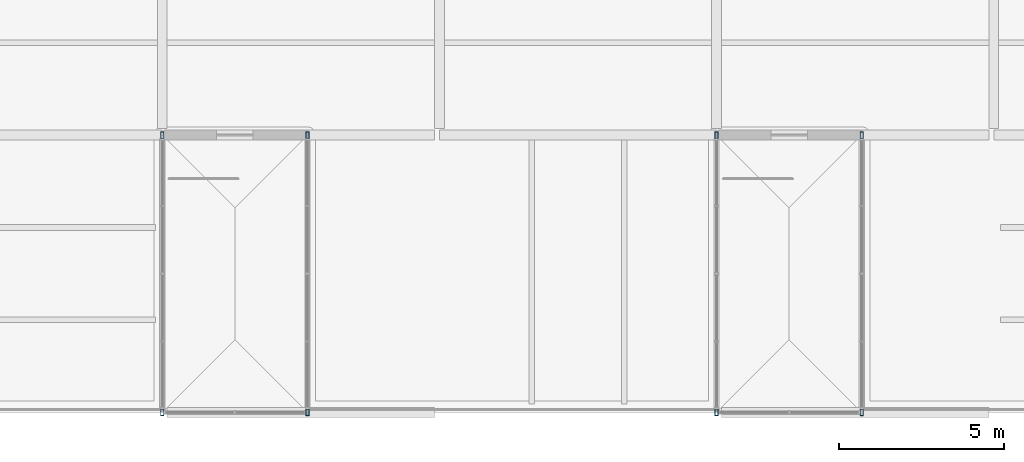
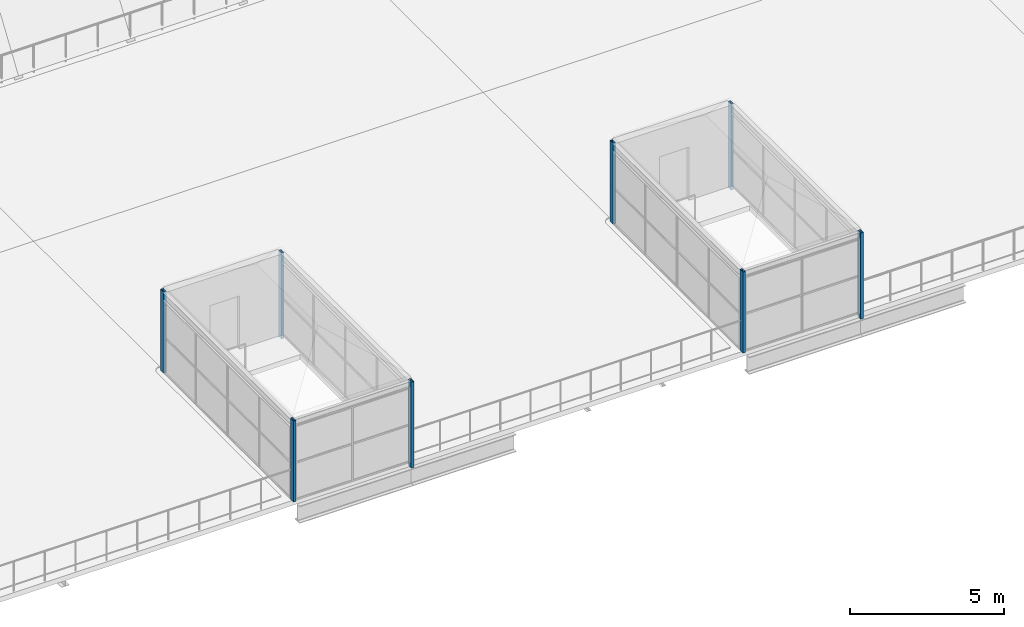
# One storey, part 2 of 58: 8 columns.
"""IFC4 building model written with IfcOpenShell, lengths in metres."""

from ifc_helpers import new_model, si_unit, direction, frame, origin, origin_2d, place, context, subcontext, project, spatial, hollow_rectangle, extrude, material, material_profile, profile_set, type_object, element, save


model = new_model("IFC4")

# Units and contexts
model_context = context("Model", 3, precision=1e-05, world=origin(), true_north=direction((0.0, 1.0)))
body_context = subcontext(model_context, "Body", "Model", "MODEL_VIEW")
ifc_project = project(units=[si_unit("LENGTHUNIT", "METRE"), si_unit("AREAUNIT", "SQUARE_METRE"), si_unit("VOLUMEUNIT", "CUBIC_METRE"), si_unit("PLANEANGLEUNIT", "RADIAN"), si_unit("MASSUNIT", "GRAM", prefix="KILO")], contexts=[model_context])

# Site, building, storey
site_placement = place(None, origin())
site = spatial("IfcSite", under=ifc_project, at=site_placement, CompositionType="ELEMENT")
building_placement = place(site_placement, origin())
building = spatial("IfcBuilding", under=site, at=building_placement, Name="Galleria Vessillo Department Store", CompositionType="ELEMENT")
storey_placement = place(building_placement, frame((0.0, 0.0, 31.199951171875)))
storey = spatial("IfcBuildingStorey", under=building, at=storey_placement, Name="L06", CompositionType="ELEMENT", Elevation=31.199951171875)

# Columns
ifc_material = material(Name="Steel S355 J2", Category="steel")
ifc_material_profile = material_profile(ifc_material, hollow_rectangle(XDim=0.10009765625, YDim=0.199951171875, WallThickness=0.008056640625, at=origin_2d()), Name="RHS 200x100x8")
ifc_profile_set = profile_set([ifc_material_profile], Name="Steel S355 J2")
column_type = type_object("IfcColumnType", Name="Steel post RHS 200x100x8", PredefinedType="COLUMN", material=ifc_profile_set)
column_1_placement = place(storey_placement, frame((33.60009765625, 0.0, 0.0), z_axis=(0.0, 0.0, 1.0), x_axis=(1.0, 0.0, 0.0)))
element("IfcColumn", 1, at=column_1_placement, inside=storey, type_object=column_type, Name="S-PP-ST3-1", PredefinedType="COLUMN", context=body_context, shape_type="SweptSolid", body=[
    extrude(hollow_rectangle(XDim=0.10009765625, YDim=0.199951171875, WallThickness=0.008056640625, at=origin_2d()), origin(), (0.0, 0.0, 1.0), 3.2001953125),
])
column_2_placement = place(storey_placement, frame((38.0, 0.0, -0.199951171875), z_axis=(0.0, 0.0, 1.0), x_axis=(1.0, 0.0, 0.0)))
element("IfcColumn", 2, at=column_2_placement, inside=storey, type_object=column_type, Name="S-PP-ST3-2", PredefinedType="COLUMN", context=body_context, shape_type="SweptSolid", body=[
    extrude(hollow_rectangle(XDim=0.10009765625, YDim=0.199951171875, WallThickness=0.008056640625, at=origin_2d()), origin(), (0.0, 0.0, 1.0), 3.400146484375),
])
column_3_placement = place(storey_placement, frame((33.60009765625, 8.39990234375, 0.0), z_axis=(0.0, 0.0, 1.0), x_axis=(1.0, 0.0, 0.0)))
element("IfcColumn", 3, at=column_3_placement, inside=storey, type_object=column_type, Name="S-PP-ST3-3", PredefinedType="COLUMN", context=body_context, shape_type="SweptSolid", body=[
    extrude(hollow_rectangle(XDim=0.10009765625, YDim=0.199951171875, WallThickness=0.008056640625, at=origin_2d()), origin(), (0.0, 0.0, 1.0), 3.2001953125),
])
column_4_placement = place(storey_placement, frame((38.0, 8.39990234375, -0.199951171875), z_axis=(0.0, 0.0, 1.0), x_axis=(1.0, 0.0, 0.0)))
element("IfcColumn", 4, at=column_4_placement, inside=storey, type_object=column_type, Name="S-PP-ST3-4", PredefinedType="COLUMN", context=body_context, shape_type="SweptSolid", body=[
    extrude(hollow_rectangle(XDim=0.10009765625, YDim=0.199951171875, WallThickness=0.008056640625, at=origin_2d()), origin(), (0.0, 0.0, 1.0), 3.400146484375),
])
column_5_placement = place(storey_placement, frame((50.39990234375, 0.0, 0.0), z_axis=(0.0, 0.0, 1.0), x_axis=(1.0, 0.0, 0.0)))
element("IfcColumn", 5, at=column_5_placement, inside=storey, type_object=column_type, Name="S-PP-ST10-1", PredefinedType="COLUMN", context=body_context, shape_type="SweptSolid", body=[
    extrude(hollow_rectangle(XDim=0.10009765625, YDim=0.199951171875, WallThickness=0.008056640625, at=origin_2d()), origin(), (0.0, 0.0, 1.0), 3.2001953125),
])
column_6_placement = place(storey_placement, frame((54.800048828125, 0.0, -0.199951171875), z_axis=(0.0, 0.0, 1.0), x_axis=(1.0, 0.0, 0.0)))
element("IfcColumn", 6, at=column_6_placement, inside=storey, type_object=column_type, Name="S-PP-ST10-2", PredefinedType="COLUMN", context=body_context, shape_type="SweptSolid", body=[
    extrude(hollow_rectangle(XDim=0.10009765625, YDim=0.199951171875, WallThickness=0.008056640625, at=origin_2d()), origin(), (0.0, 0.0, 1.0), 3.400146484375),
])
column_7_placement = place(storey_placement, frame((50.39990234375, 8.39990234375, 0.0), z_axis=(0.0, 0.0, 1.0), x_axis=(1.0, 0.0, 0.0)))
element("IfcColumn", 7, at=column_7_placement, inside=storey, type_object=column_type, Name="S-PP-ST10-3", PredefinedType="COLUMN", context=body_context, shape_type="SweptSolid", body=[
    extrude(hollow_rectangle(XDim=0.10009765625, YDim=0.199951171875, WallThickness=0.008056640625, at=origin_2d()), origin(), (0.0, 0.0, 1.0), 3.2001953125),
])
column_8_placement = place(storey_placement, frame((54.800048828125, 8.39990234375, -0.199951171875), z_axis=(0.0, 0.0, 1.0), x_axis=(1.0, 0.0, 0.0)))
element("IfcColumn", 8, at=column_8_placement, inside=storey, type_object=column_type, Name="S-PP-ST10-4", PredefinedType="COLUMN", context=body_context, shape_type="SweptSolid", body=[
    extrude(hollow_rectangle(XDim=0.10009765625, YDim=0.199951171875, WallThickness=0.008056640625, at=origin_2d()), origin(), (0.0, 0.0, 1.0), 3.400146484375),
])

save(model, "model.ifc")
